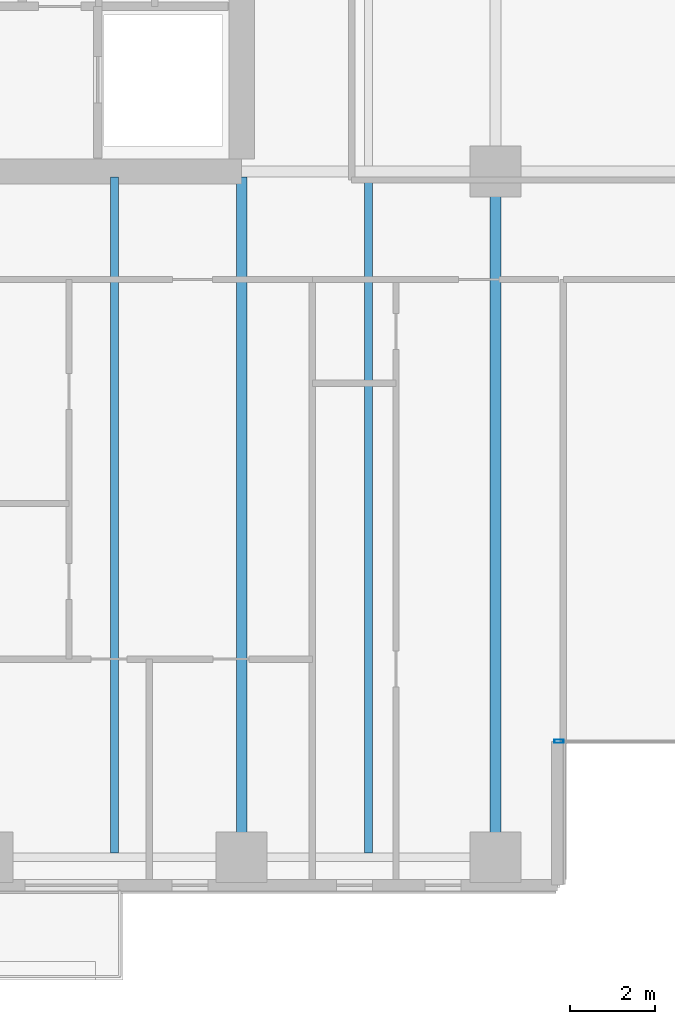
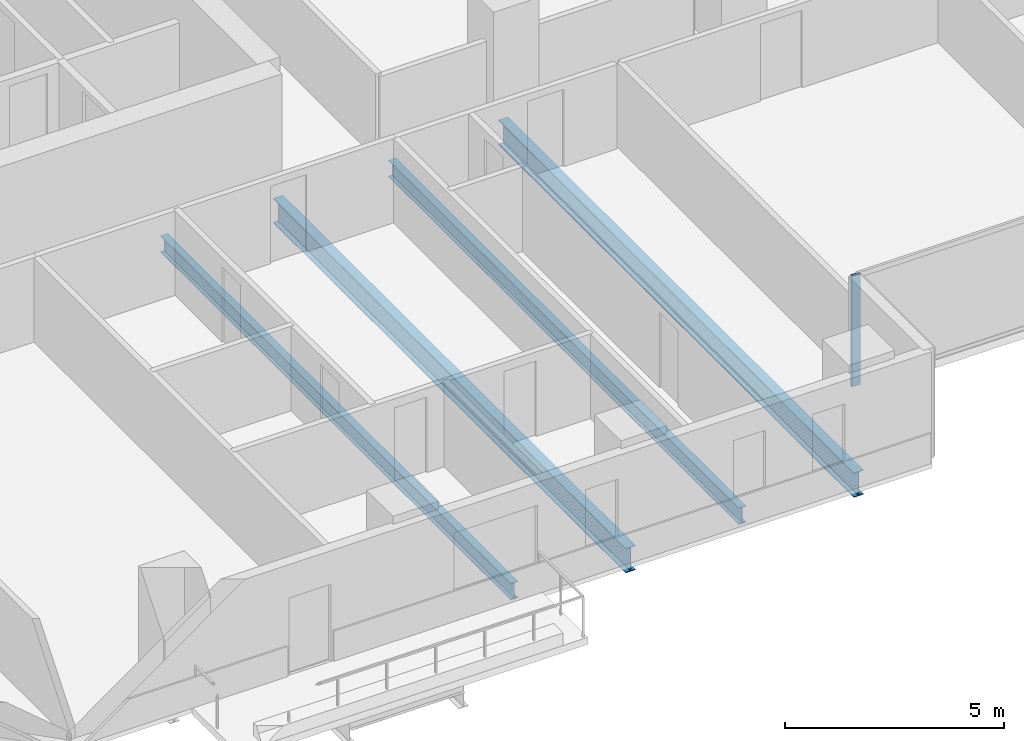
# One storey, part 2 of 26: 4 beams, 1 member, 1 element without a shape of its own.
"""IFC4 building model written with IfcOpenShell, lengths in metres."""

from ifc_helpers import new_model, si_unit, direction, frame, origin, origin_2d, place, context, subcontext, project, spatial, hollow_rectangle, i_section, extrude, material, layer, layer_set, material_profile, profile_set, type_object, element, aggregate, save


model = new_model("IFC4")

# Units and contexts
model_context = context("Model", 3, precision=1e-05, world=origin(), true_north=direction((0.0, 1.0)))
body_context = subcontext(model_context, "Body", "Model", "MODEL_VIEW")
ifc_project = project(units=[si_unit("LENGTHUNIT", "METRE"), si_unit("AREAUNIT", "SQUARE_METRE"), si_unit("VOLUMEUNIT", "CUBIC_METRE"), si_unit("PLANEANGLEUNIT", "RADIAN"), si_unit("MASSUNIT", "GRAM", prefix="KILO")], contexts=[model_context])

# Site, building, storey
site_placement = place(None, origin())
site = spatial("IfcSite", under=ifc_project, at=site_placement, CompositionType="ELEMENT")
building_placement = place(site_placement, origin())
building = spatial("IfcBuilding", under=site, at=building_placement, Name="Tanjung Sevakor Pilgrim Tower", CompositionType="ELEMENT")
storey_placement = place(building_placement, frame((0.0, 0.0, 45.5400390625)))
storey = spatial("IfcBuildingStorey", under=building, at=storey_placement, Name="L12", CompositionType="ELEMENT", Elevation=45.5400390625)

# Beams
ifc_material_1 = material(Name="Steel S355J2", Category="steel")
ifc_material_profile_1 = material_profile(ifc_material_1, i_section(OverallWidth=0.25439453125, OverallDepth=0.6875, WebThickness=0.01318359375, FlangeThickness=0.02099609375, FilletRadius=0.01513671875, at=origin_2d()))
ifc_profile_set_1 = profile_set([ifc_material_profile_1], Name="Steel S355J2")
beam_type_1 = type_object("IfcBeamType", Name="BM-B-G2-UB_686x254x152", PredefinedType="BEAM", material=ifc_profile_set_1)
beam_1_placement = place(storey_placement, frame((36.0, 8.39990234375, -0.563720703125), z_axis=(0.0, 1.0, 0.0), x_axis=(-1.0, 0.0, 0.0)))
element("IfcBeam", 1, at=beam_1_placement, inside=storey, type_object=beam_type_1, Name="L12 MAIN Girder 005", PredefinedType="BEAM", context=body_context, shape_type="SweptSolid", body=[
    extrude(i_section(OverallWidth=0.25439453125, OverallDepth=0.6875, WebThickness=0.01318359375, FlangeThickness=0.02099609375, FilletRadius=0.01513671875, at=origin_2d()), origin(), (0.0, 0.0, 1.0), 16.066162109375),
])
beam_2_placement = place(storey_placement, frame((42.0, 8.39990234375, -0.563720703125), z_axis=(0.0, 1.0, 0.0), x_axis=(-1.0, 0.0, 0.0)))
element("IfcBeam", 2, at=beam_2_placement, inside=storey, type_object=beam_type_1, Name="L12 MAIN Girder 010", PredefinedType="BEAM", context=body_context, shape_type="SweptSolid", body=[
    extrude(i_section(OverallWidth=0.25439453125, OverallDepth=0.6875, WebThickness=0.01318359375, FlangeThickness=0.02099609375, FilletRadius=0.01513671875, at=origin_2d()), origin(), (0.0, 0.0, 1.0), 16.2001953125),
])
ifc_material_2 = material(Name="Steel S355J2", Category="steel")
ifc_material_profile_2 = material_profile(ifc_material_2, i_section(OverallWidth=0.19140625, OverallDepth=0.4599609375, WebThickness=0.010009765625, FlangeThickness=0.01611328125, FilletRadius=0.01025390625, at=origin_2d()))
ifc_profile_set_2 = profile_set([ifc_material_profile_2], Name="Steel S355J2")
beam_type_2 = type_object("IfcBeamType", Name="BM-B-J2-UB_457x191x82", PredefinedType="JOIST", material=ifc_profile_set_2)
for number, where, z_axis, x_axis, name in (
    (3, (33.0, 8.5, -0.449951171875), (0.0, 1.0, 0.0), (-1.0, 0.0, 0.0), "L12 MAIN Joist 003"),
    (4, (39.0, 8.5, -0.449951171875), (0.0, 1.0, 0.0), (-1.0, 0.0, 0.0), "L12 MAIN Joist 007"),
):
    element("IfcBeam", number, at=place(storey_placement, frame(where, z_axis=z_axis, x_axis=x_axis)), inside=storey, type_object=beam_type_2, Name=name, PredefinedType="JOIST", context=body_context, shape_type="SweptSolid", body=[
        extrude(i_section(OverallWidth=0.19140625, OverallDepth=0.4599609375, WebThickness=0.010009765625, FlangeThickness=0.01611328125, FilletRadius=0.01025390625, at=origin_2d()), origin(), (0.0, 0.0, 1.0), 15.966064453125),
    ])

# Curtain wall, member
ifc_material_3 = material(Name="Aluminium 6063-T6 and Low-E Glass", Category="aluminium")
ifc_layer = layer(ifc_material_3, 0.179931640625)
ifc_layer_set = layer_set([ifc_layer], Name="CW-SYS-CLEFT")
curtain_wall_type = type_object("IfcCurtainWallType", Name="CW-SYS-CLEFT", PredefinedType="NOTDEFINED", material=ifc_layer_set)
curtain_wall_placement = place(storey_placement, origin())
curtain_wall = element("IfcCurtainWall", 5, at=curtain_wall_placement, inside=storey, type_object=curtain_wall_type, Name="L12 Curtain Wall CW-CLF-L12-2", PredefinedType="NOTDEFINED")
ifc_material_4 = material(Name="Aluminium 6063-T6", Category="aluminium")
ifc_material_profile_3 = material_profile(ifc_material_4, hollow_rectangle(XDim=0.074951171875, YDim=0.219970703125, WallThickness=0.0048828125, at=origin_2d()))
ifc_profile_set_3 = profile_set([ifc_material_profile_3], Name="Aluminium 6063-T6")
member_type = type_object("IfcMemberType", Name="TYPE-CWM-2", PredefinedType="MULLION", material=ifc_profile_set_3)
member_placement = place(storey_placement, frame((43.49755859375, 11.139892578125, 0.0), z_axis=(0.0, 0.0, 1.0), x_axis=(0.0, 1.0, 0.0)))
member = element("IfcMember", 6, at=member_placement, type_object=member_type, Name="CW-CLF mullion 1", PredefinedType="MULLION", context=body_context, shape_type="SweptSolid", body=[
    extrude(hollow_rectangle(XDim=0.074951171875, YDim=0.219970703125, WallThickness=0.0048828125, at=origin_2d()), origin(), (0.0, 0.0, 1.0), 3.080078125),
])
aggregate(curtain_wall, [member])

save(model, "model.ifc")
